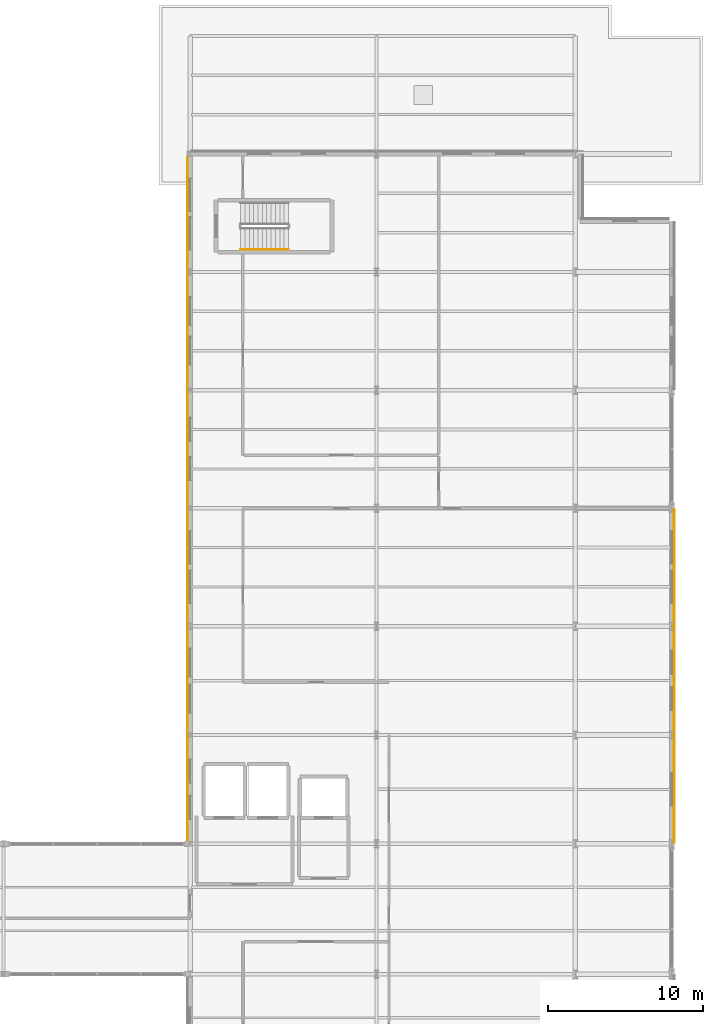
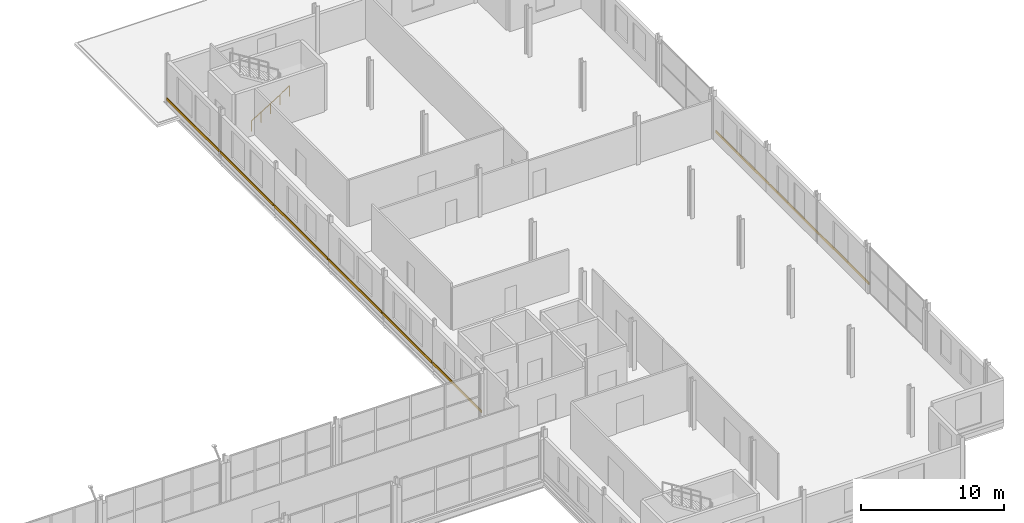
# One storey, part 99 of 101: 9 coverings, 1 railing.
"""IFC4 building model written with IfcOpenShell, lengths in metres."""

from ifc_helpers import new_model, si_unit, direction, frame, origin, origin_2d, place, context, subcontext, project, spatial, rectangle, circle, extrude, material, layer, layer_set, type_object, element, save


model = new_model("IFC4")

# Units and contexts
model_context = context("Model", 3, precision=1e-05, world=origin(), true_north=direction((0.0, 1.0)))
body_context = subcontext(model_context, "Body", "Model", "MODEL_VIEW")
ifc_project = project(units=[si_unit("LENGTHUNIT", "METRE"), si_unit("AREAUNIT", "SQUARE_METRE"), si_unit("VOLUMEUNIT", "CUBIC_METRE"), si_unit("PLANEANGLEUNIT", "RADIAN"), si_unit("MASSUNIT", "GRAM", prefix="KILO")], contexts=[model_context])

# Site, building, storey
site_placement = place(None, origin())
site = spatial("IfcSite", under=ifc_project, at=site_placement, CompositionType="ELEMENT")
building_placement = place(site_placement, origin())
building = spatial("IfcBuilding", under=site, at=building_placement, Name="Vekula Escarpment Museum", CompositionType="ELEMENT")
storey_placement = place(building_placement, frame((0.0, 0.0, 18.0)))
storey = spatial("IfcBuildingStorey", under=building, at=storey_placement, Name="L04", CompositionType="ELEMENT", Elevation=18.0)

# Coverings
ifc_material_1 = material(Name="Polychrome limestone almasik string-course band", Category="masonry")
ifc_layer = layer(ifc_material_1, 0.06005859375)
ifc_layer_set = layer_set([ifc_layer], Name="Polychrome limestone almasik string-course band")
covering_type = type_object("IfcCoveringType", Name="COV-ALM-BAND", PredefinedType="CLADDING", material=ifc_layer_set)
for number, where, z_axis, x_axis, name in (
    (1, (198.166015625, 79.89990234375, 0.41015625), (0.0, 0.0, 1.0), (0.0, 1.0, 0.0), "Almasik Stone String Course L04-0589"),
    (2, (198.166015625, 86.89990234375, 0.41015625), (0.0, 0.0, 1.0), (0.0, 1.0, 0.0), "Almasik Stone String Course L04-0590"),
):
    element("IfcCovering", number, at=place(storey_placement, frame(where, z_axis=z_axis, x_axis=x_axis)), inside=storey, type_object=covering_type, Name=name, PredefinedType="CLADDING", context=body_context, shape_type="SweptSolid", body=[
        extrude(rectangle(XDim=6.8798828125, YDim=0.06005859375, at=origin_2d()), origin(), (0.0, 0.0, 1.0), 0.219970703125),
    ])
covering_1_placement = place(storey_placement, frame((198.166015625, 94.199951171875, 0.41015625), z_axis=(0.0, 0.0, 1.0), x_axis=(0.0, 1.0, 0.0)))
element("IfcCovering", 3, at=covering_1_placement, inside=storey, type_object=covering_type, Name="Almasik Stone String Course L04-0591", PredefinedType="CLADDING", context=body_context, shape_type="SweptSolid", body=[
    extrude(rectangle(XDim=7.47998046875, YDim=0.06005859375, at=origin_2d()), origin(), (0.0, 0.0, 1.0), 0.219970703125),
])
covering_2_placement = place(storey_placement, frame((166.833984375, 116.927978515625, 0.41015625), z_axis=(0.0, 0.0, 1.0), x_axis=(0.0, 1.0, 0.0)))
element("IfcCovering", 4, at=covering_2_placement, inside=storey, type_object=covering_type, Name="Almasik Stone String Course L04-0598", PredefinedType="CLADDING", context=body_context, shape_type="SweptSolid", body=[
    extrude(rectangle(XDim=7.3359375, YDim=0.06005859375, at=origin_2d()), origin(), (0.0, 0.0, 1.0), 0.219970703125),
])
for number, where, z_axis, x_axis, name in (
    (5, (166.833984375, 109.39990234375, 0.41015625), (0.0, 0.0, 1.0), (0.0, 1.0, 0.0), "Almasik Stone String Course L04-0599"),
    (6, (166.833984375, 101.800048828125, 0.41015625), (0.0, 0.0, 1.0), (0.0, 1.0, 0.0), "Almasik Stone String Course L04-0600"),
    (7, (166.833984375, 94.199951171875, 0.41015625), (0.0, 0.0, 1.0), (0.0, 1.0, 0.0), "Almasik Stone String Course L04-0601"),
):
    element("IfcCovering", number, at=place(storey_placement, frame(where, z_axis=z_axis, x_axis=x_axis)), inside=storey, type_object=covering_type, Name=name, PredefinedType="CLADDING", context=body_context, shape_type="SweptSolid", body=[
        extrude(rectangle(XDim=7.47998046875, YDim=0.06005859375, at=origin_2d()), origin(), (0.0, 0.0, 1.0), 0.219970703125),
    ])
for number, where, z_axis, x_axis, name in (
    (8, (166.833984375, 86.89990234375, 0.41015625), (0.0, 0.0, 1.0), (0.0, 1.0, 0.0), "Almasik Stone String Course L04-0602"),
    (9, (166.833984375, 79.89990234375, 0.41015625), (0.0, 0.0, 1.0), (0.0, 1.0, 0.0), "Almasik Stone String Course L04-0603"),
):
    element("IfcCovering", number, at=place(storey_placement, frame(where, z_axis=z_axis, x_axis=x_axis)), inside=storey, type_object=covering_type, Name=name, PredefinedType="CLADDING", context=body_context, shape_type="SweptSolid", body=[
        extrude(rectangle(XDim=6.8798828125, YDim=0.06005859375, at=origin_2d()), origin(), (0.0, 0.0, 1.0), 0.219970703125),
    ])

# Railing
ifc_material_2 = material(Name="Brushed stainless steel handrail", Category="steel")
railing_type = type_object("IfcRailingType", Name="RL-STAIR-HAND", PredefinedType="HANDRAIL", material=ifc_material_2)
railing_placement = place(storey_placement, frame((170.25, 114.64990234375, 0.175048828125)))
element("IfcRailing", 10, at=railing_placement, inside=storey, type_object=railing_type, Name="L04 ST-05 stair handrail 1", PredefinedType="HANDRAIL", context=body_context, shape_type="SweptSolid", body=[
    extrude(circle(Radius=0.02392578125, at=origin_2d()), frame((0.0, 0.0, 0.8759765625), z_axis=(0.847998304005, 0.0, 0.529998940003), x_axis=(0.0, 1.0, 0.0)), (0.0, 0.0, 1.0), 3.632080078125),
    extrude(circle(Radius=0.02099609375, at=origin_2d()), origin(), (0.0, 0.0, 1.0), 0.851806640625),
    extrude(circle(Radius=0.02099609375, at=origin_2d()), frame((0.77001953125, 0.0, 0.481201171875)), (0.0, 0.0, 1.0), 0.851806640625),
    extrude(circle(Radius=0.02099609375, at=origin_2d()), frame((1.5400390625, 0.0, 0.96240234375)), (0.0, 0.0, 1.0), 0.851806640625),
    extrude(circle(Radius=0.02099609375, at=origin_2d()), frame((2.31005859375, 0.0, 1.44384765625)), (0.0, 0.0, 1.0), 0.851806640625),
    extrude(circle(Radius=0.02099609375, at=origin_2d()), frame((3.080078125, 0.0, 1.925048828125)), (0.0, 0.0, 1.0), 0.851806640625),
])

save(model, "model.ifc")
